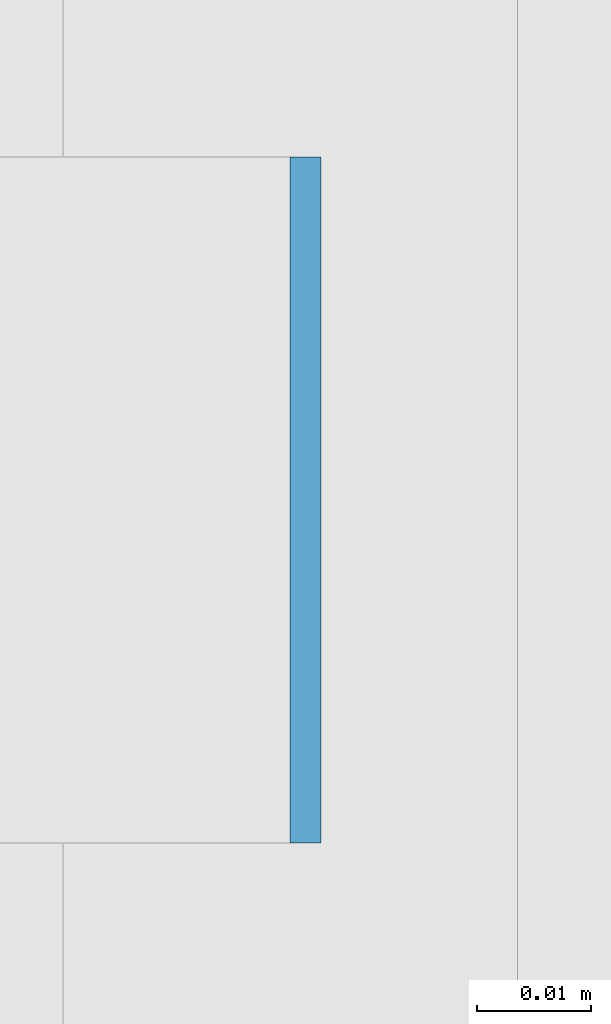
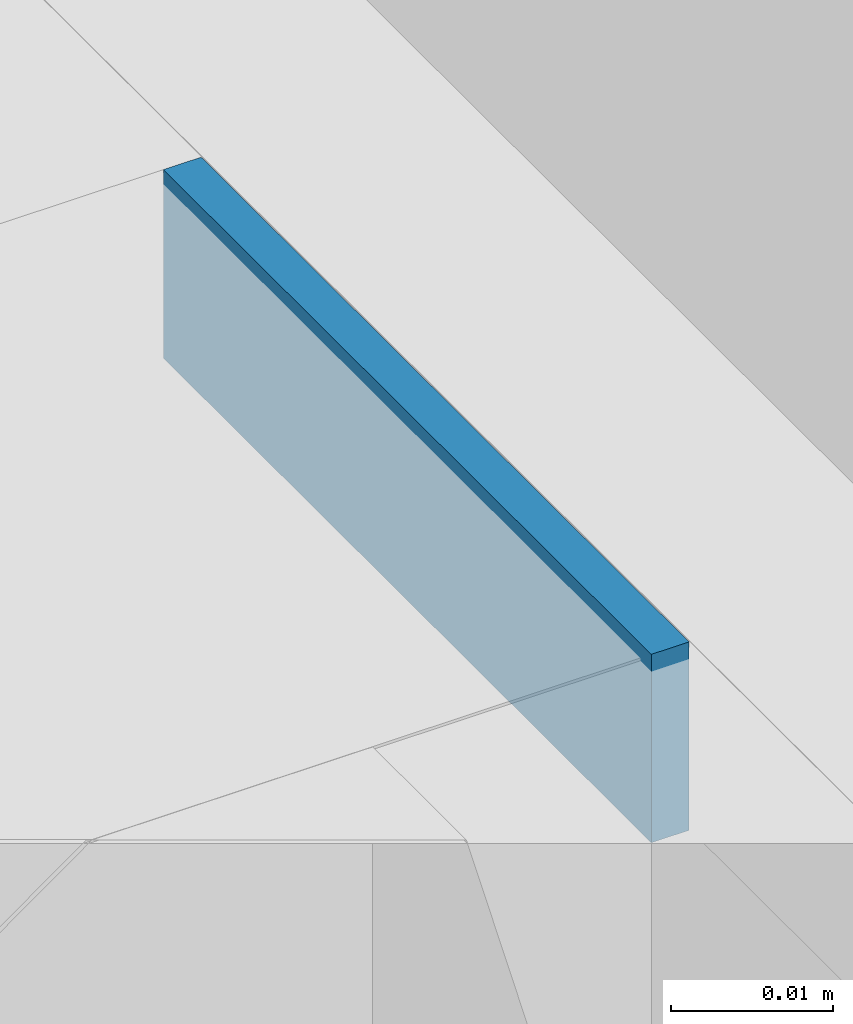
# One storey, part 393 of 646: 1 discrete accessory.
"""IFC4 building model written with IfcOpenShell, lengths in metres."""

from ifc_helpers import new_model, si_unit, direction, frame, origin, origin_2d, place, context, subcontext, project, spatial, rectangle, extrude, material, type_object, element, save


model = new_model("IFC4")

# Units and contexts
model_context = context("Model", 3, precision=1e-05, world=origin(), true_north=direction((0.0, 1.0)))
body_context = subcontext(model_context, "Body", "Model", "MODEL_VIEW")
ifc_project = project(units=[si_unit("LENGTHUNIT", "METRE"), si_unit("AREAUNIT", "SQUARE_METRE"), si_unit("VOLUMEUNIT", "CUBIC_METRE"), si_unit("PLANEANGLEUNIT", "RADIAN"), si_unit("MASSUNIT", "GRAM", prefix="KILO")], contexts=[model_context])

# Site, building, storey
site_placement = place(None, origin())
site = spatial("IfcSite", under=ifc_project, at=site_placement, CompositionType="ELEMENT")
building_placement = place(site_placement, origin())
building = spatial("IfcBuilding", under=site, at=building_placement, Name="Silverbay Arena", CompositionType="ELEMENT")
storey_placement = place(building_placement, frame((0.0, 0.0, 33.5)))
storey = spatial("IfcBuildingStorey", under=building, at=storey_placement, Name="L05", CompositionType="ELEMENT", Elevation=33.5)

# Discrete accessory
ifc_material = material(Name="Steel S355", Category="steel")
discrete_accessory_type = type_object("IfcDiscreteAccessoryType", Name="Steel bracket plate", PredefinedType="BRACKET", material=ifc_material)
discrete_accessory_placement = place(storey_placement, frame((53.871337890625, 115.71435546875, 12.98583984375), z_axis=(0.0, 0.0, 1.0), x_axis=(1.0, 0.0, 0.0)))
element("IfcDiscreteAccessory", 1, at=discrete_accessory_placement, inside=storey, type_object=discrete_accessory_type, Name="Curtain wall packing plate", PredefinedType="BRACKET", context=body_context, shape_type="SweptSolid", body=[
    extrude(rectangle(XDim=0.002685546875, YDim=0.06005859375, at=origin_2d()), origin(), (0.0, 0.0, 1.0), 0.01416015625),
])

save(model, "model.ifc")
